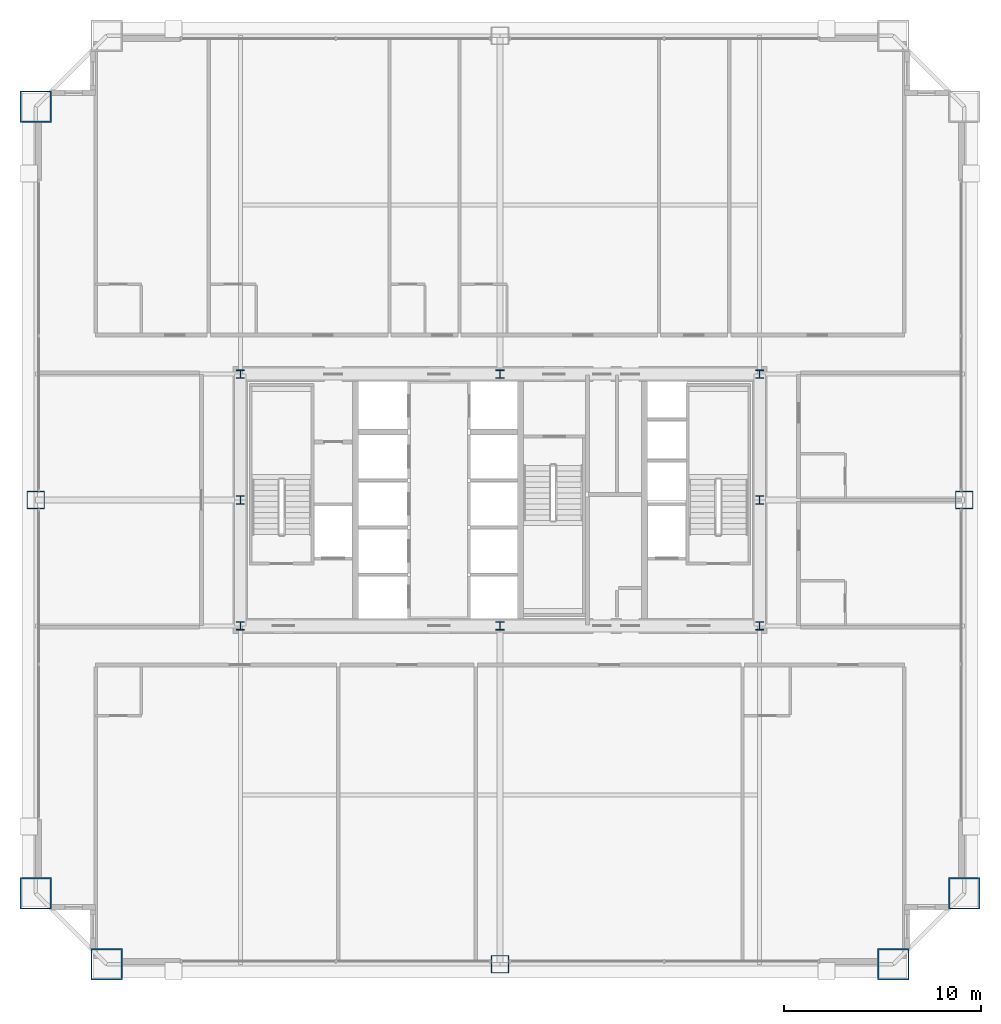
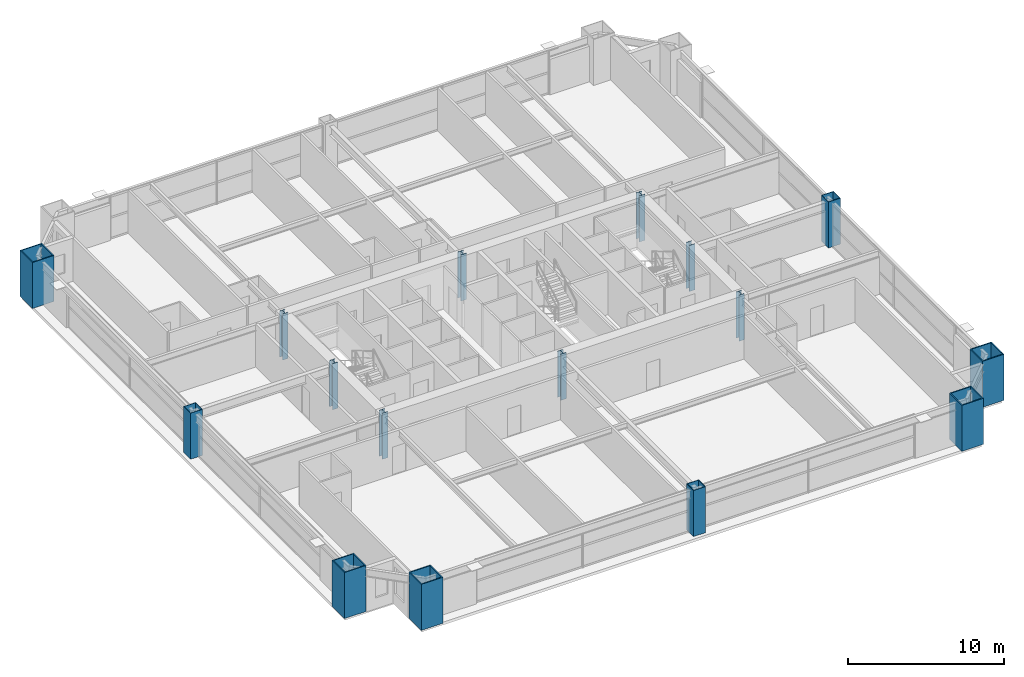
# One storey, part 1 of 38: 16 columns.
"""IFC4 building model written with IfcOpenShell, lengths in metres."""

from ifc_helpers import new_model, si_unit, direction, frame, origin, origin_2d, place, context, subcontext, project, spatial, hollow_rectangle, i_section, extrude, source, transform, mapped, material, material_profile, profile_set, type_object, element, save


model = new_model("IFC4")

# Units and contexts
model_context = context("Model", 3, precision=1e-05, world=origin(), true_north=direction((0.0, 1.0)))
body_context = subcontext(model_context, "Body", "Model", "MODEL_VIEW")
ifc_project = project(units=[si_unit("LENGTHUNIT", "METRE"), si_unit("AREAUNIT", "SQUARE_METRE"), si_unit("VOLUMEUNIT", "CUBIC_METRE"), si_unit("PLANEANGLEUNIT", "RADIAN"), si_unit("MASSUNIT", "GRAM", prefix="KILO"), si_unit("THERMODYNAMICTEMPERATUREUNIT", "KELVIN"), si_unit("POWERUNIT", "WATT")], contexts=[model_context])

# Site, building, storey
site_placement = place(None, origin())
site = spatial("IfcSite", under=ifc_project, at=site_placement, CompositionType="ELEMENT")
building_placement = place(site_placement, origin())
building = spatial("IfcBuilding", under=site, at=building_placement, Name="Yuzanri Waterfront Tower", CompositionType="ELEMENT")
storey_placement = place(building_placement, frame((0.0, 0.0, 119.0)))
storey = spatial("IfcBuildingStorey", under=building, at=storey_placement, Name="L31", CompositionType="ELEMENT", Elevation=119.0)

# Columns
ifc_material_1 = material(Name="Steel Q355B", Category="steel")
ifc_material_profile_1 = material_profile(ifc_material_1, i_section(OverallWidth=0.406982421875, OverallDepth=0.427978515625, WebThickness=0.02001953125, FlangeThickness=0.034912109375, at=origin_2d()), Name="HW 428x407x20x35")
ifc_profile_set_1 = profile_set([ifc_material_profile_1], Name="Steel Q355B")
column_type_1 = type_object("IfcColumnType", Name="Core Post Q355B HW 428x407x20x35", PredefinedType="COLUMN", material=ifc_profile_set_1)
shared_shape_1 = source(origin(), body_context, "Body", "SweptSolid", [
    extrude(i_section(OverallWidth=0.406982421875, OverallDepth=0.427978515625, WebThickness=0.02001953125, FlangeThickness=0.034912109375, at=origin_2d()), origin(), (0.0, 0.0, 1.0), 3.60009765625),
])
for number, where, z_axis, x_axis, name in (
    (1, (23.800048828125, 19.39990234375, 0.0), (0.0, 0.0, 1.0), (1.0, 0.0, 0.0), "L31 Core Boundary Column CP1"),
    (2, (37.0, 19.39990234375, 0.0), (0.0, 0.0, 1.0), (1.0, 0.0, 0.0), "L31 Core Boundary Column CP2"),
    (3, (50.199951171875, 19.39990234375, 0.0), (0.0, 0.0, 1.0), (1.0, 0.0, 0.0), "L31 Core Boundary Column CP3"),
    (4, (23.800048828125, 25.800048828125, 0.0), (0.0, 0.0, 1.0), (1.0, 0.0, 0.0), "L31 Core Boundary Column CP4"),
    (5, (50.199951171875, 25.800048828125, 0.0), (0.0, 0.0, 1.0), (1.0, 0.0, 0.0), "L31 Core Boundary Column CP5"),
    (6, (23.800048828125, 32.199951171875, 0.0), (0.0, 0.0, 1.0), (1.0, 0.0, 0.0), "L31 Core Boundary Column CP6"),
    (7, (37.0, 32.199951171875, 0.0), (0.0, 0.0, 1.0), (1.0, 0.0, 0.0), "L31 Core Boundary Column CP7"),
    (8, (50.199951171875, 32.199951171875, 0.0), (0.0, 0.0, 1.0), (1.0, 0.0, 0.0), "L31 Core Boundary Column CP8"),
):
    element("IfcColumn", number, at=place(storey_placement, frame(where, z_axis=z_axis, x_axis=x_axis)), inside=storey, type_object=column_type_1, Name=name, PredefinedType="COLUMN", context=body_context, shape_type="MappedRepresentation", body=[
        mapped(shared_shape_1, transform((0.0, 0.0, 0.0), scale=1.0)),
    ])
ifc_material_2 = material(Name="Steel Q390GJC", Category="steel")
ifc_material_profile_2 = material_profile(ifc_material_2, hollow_rectangle(XDim=0.89990234375, YDim=0.89990234375, WallThickness=0.0419921875, at=origin_2d()), Name="RHS 900x900x42")
ifc_profile_set_2 = profile_set([ifc_material_profile_2], Name="Steel Q390GJC")
column_type_2 = type_object("IfcColumnType", Name="Frame Column Q390GJC RHS 900x900x42", PredefinedType="COLUMN", material=ifc_profile_set_2)
shared_shape_2 = source(origin(), body_context, "Body", "SweptSolid", [
    extrude(hollow_rectangle(XDim=0.89990234375, YDim=0.89990234375, WallThickness=0.0419921875, at=origin_2d()), origin(), (0.0, 0.0, 1.0), 3.60009765625),
])
for number, where, z_axis, x_axis, name in (
    (9, (37.0, 2.199951171875, 0.0), (0.0, 0.0, 1.0), (1.0, 0.0, 0.0), "L31 Perimeter Frame Column S2"),
    (10, (13.39990234375, 25.800048828125, 0.0), (0.0, 0.0, 1.0), (1.0, 0.0, 0.0), "L31 Perimeter Frame Column W2"),
    (11, (60.60009765625, 25.800048828125, 0.0), (0.0, 0.0, 1.0), (1.0, 0.0, 0.0), "L31 Perimeter Frame Column E2"),
):
    element("IfcColumn", number, at=place(storey_placement, frame(where, z_axis=z_axis, x_axis=x_axis)), inside=storey, type_object=column_type_2, Name=name, PredefinedType="COLUMN", context=body_context, shape_type="MappedRepresentation", body=[
        mapped(shared_shape_2, transform((0.0, 0.0, 0.0), scale=1.0)),
    ])
ifc_material_3 = material(Name="Steel Q420GJC", Category="steel")
ifc_material_profile_3 = material_profile(ifc_material_3, hollow_rectangle(XDim=1.60009765625, YDim=1.60009765625, WallThickness=0.070068359375, at=origin_2d()), Name="RHS 1600x1600x70")
ifc_profile_set_3 = profile_set([ifc_material_profile_3], Name="Steel Q420GJC")
column_type_3 = type_object("IfcColumnType", Name="Mega Column Q420GJC RHS 1600x1600x70", PredefinedType="COLUMN", material=ifc_profile_set_3)
shared_shape_3 = source(origin(), body_context, "Body", "SweptSolid", [
    extrude(hollow_rectangle(XDim=1.60009765625, YDim=1.60009765625, WallThickness=0.070068359375, at=origin_2d()), origin(), (0.0, 0.0, 1.0), 3.60009765625),
])
for number, where, z_axis, x_axis, name in (
    (12, (17.0, 2.199951171875, 0.0), (0.0, 0.0, 1.0), (1.0, 0.0, 0.0), "L31 Perimeter Mega Column S1"),
    (13, (57.0, 2.199951171875, 0.0), (0.0, 0.0, 1.0), (1.0, 0.0, 0.0), "L31 Perimeter Mega Column S3"),
    (14, (13.39990234375, 5.800048828125, 0.0), (0.0, 0.0, 1.0), (1.0, 0.0, 0.0), "L31 Perimeter Mega Column W1"),
    (15, (13.39990234375, 45.800048828125, 0.0), (0.0, 0.0, 1.0), (1.0, 0.0, 0.0), "L31 Perimeter Mega Column W3"),
    (16, (60.60009765625, 5.800048828125, 0.0), (0.0, 0.0, 1.0), (1.0, 0.0, 0.0), "L31 Perimeter Mega Column E1"),
):
    element("IfcColumn", number, at=place(storey_placement, frame(where, z_axis=z_axis, x_axis=x_axis)), inside=storey, type_object=column_type_3, Name=name, PredefinedType="COLUMN", context=body_context, shape_type="MappedRepresentation", body=[
        mapped(shared_shape_3, transform((0.0, 0.0, 0.0), scale=1.0)),
    ])

save(model, "model.ifc")
